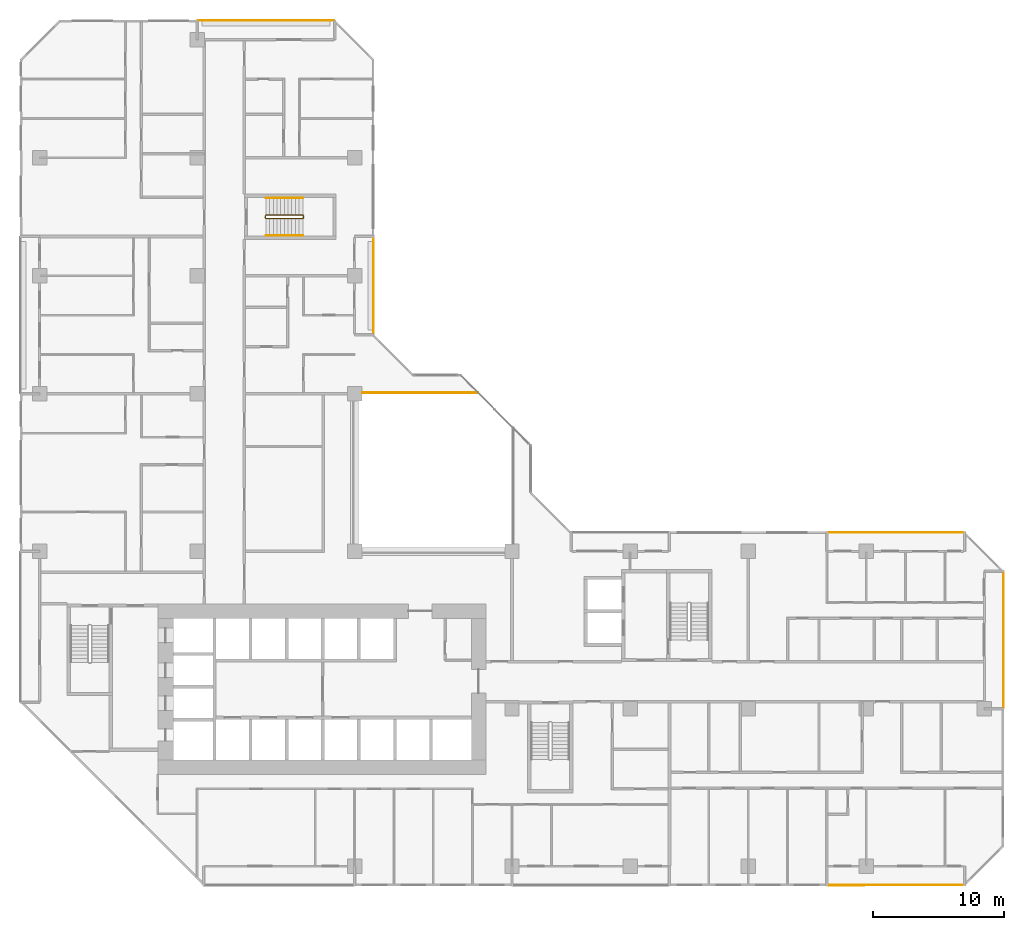
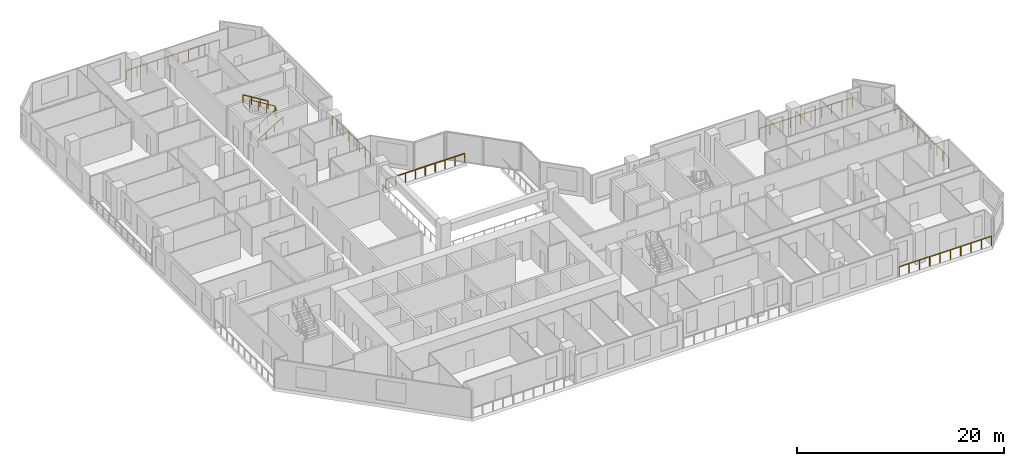
# One storey, part 16 of 16: 9 railings.
"""IFC4 building model written with IfcOpenShell, lengths in metres."""

import ifcopenshell
import ifcopenshell.guid

model = None  # the IFC model being written
_history = None  # IfcOwnerHistory: only IFC2X3 demands one
_inside = {}  # id of a spatial element -> (the spatial element, [elements in it])
_under = {}  # id of a project, library or spatial element -> (it, [spatial elements below it])
_declared = {}  # id of a project -> (the project, [libraries it declares])
_typed = {}  # id of a type object -> (the type object, [elements of that type])
_made_of = {}  # id of a material, layer set ... -> (it, [elements and type objects made of it])


def new_model(schema):
    """Start an empty IFC model of exactly this schema.

    Asked for "IFC4X3", IfcOpenShell would pick the latest addendum, in which some entities
    have other attributes; the version numbers below select the first issue.
    IFC2X3 requires an IfcOwnerHistory on every rooted entity: one is made here for all.
    """
    global model, _history
    if schema == "IFC4X3":
        model = ifcopenshell.file(schema_version=(4, 3, 0, 0))
    else:
        model = ifcopenshell.file(schema=schema)
    _inside.clear()
    _under.clear()
    _declared.clear()
    _typed.clear()
    _made_of.clear()
    _history = None
    if model.schema == "IFC2X3":
        org = make("IfcOrganization", Name="unknown")
        user = make(
            "IfcPersonAndOrganization",
            ThePerson=make("IfcPerson", FamilyName="unknown"),
            TheOrganization=org,
        )
        app = make(
            "IfcApplication",
            ApplicationDeveloper=org,
            Version="unknown",
            ApplicationFullName="unknown",
            ApplicationIdentifier="unknown",
        )
        _history = make(
            "IfcOwnerHistory",
            OwningUser=user,
            OwningApplication=app,
            ChangeAction="ADDED",
            CreationDate=0,
        )
    return model


def make(cls, **values):
    """One entity of the class cls with the attributes given. An attribute that is None is left unset."""
    return model.create_entity(
        cls, **{name: value for name, value in values.items() if value is not None}
    )


def rooted(cls, **values):
    """An entity with a GlobalId (a new one), such as an element, a storey or a relation."""
    return make(cls, GlobalId=ifcopenshell.guid.new(), OwnerHistory=_history, **values)


def si_unit(unit_type, name, prefix=None):
    """IfcSIUnit, for example si_unit("LENGTHUNIT", "METRE", prefix="MILLI")."""
    return make("IfcSIUnit", UnitType=unit_type, Prefix=prefix, Name=name)


def assignment(units):
    """IfcUnitAssignment: the units of a project."""
    return None if units is None else make("IfcUnitAssignment", Units=units)


def point(xyz):
    """IfcCartesianPoint."""
    return None if xyz is None else make("IfcCartesianPoint", Coordinates=xyz)


def direction(xyz):
    """IfcDirection."""
    return None if xyz is None else make("IfcDirection", DirectionRatios=xyz)


def frame(location, z_axis=None, x_axis=None):
    """IfcAxis2Placement3D, a coordinate frame: its origin and axes. An axis left out is left unset."""
    return make(
        "IfcAxis2Placement3D",
        Location=point(location),
        Axis=direction(z_axis),
        RefDirection=direction(x_axis),
    )


def frame_2d(location, x_axis=None):
    """IfcAxis2Placement2D, a coordinate frame in the plane: its origin and x axis."""
    return make(
        "IfcAxis2Placement2D", Location=point(location), RefDirection=direction(x_axis)
    )


def origin():
    """The frame at (0, 0, 0) with its axes left unset."""
    return frame((0.0, 0.0, 0.0))


def origin_2d():
    """The frame at (0, 0) in the plane with its x axis left unset."""
    return frame_2d((0.0, 0.0))


def place(relative_to, where):
    """IfcLocalPlacement: puts the frame where relative to a parent placement (None: the world)."""
    return make(
        "IfcLocalPlacement", PlacementRelTo=relative_to, RelativePlacement=where
    )


def context(
    kind, dimensions, precision=None, world=None, true_north=None, identifier=None
):
    """IfcGeometricRepresentationContext, for example the 3D "Model" context."""
    return make(
        "IfcGeometricRepresentationContext",
        ContextIdentifier=identifier,
        ContextType=kind,
        CoordinateSpaceDimension=dimensions,
        Precision=precision,
        WorldCoordinateSystem=world,
        TrueNorth=true_north,
    )


def subcontext(parent, identifier, kind, view, scale=None):
    """IfcGeometricRepresentationSubContext, for example "Body" below "Model"."""
    return make(
        "IfcGeometricRepresentationSubContext",
        ContextIdentifier=identifier,
        ContextType=kind,
        ParentContext=parent,
        TargetScale=scale,
        TargetView=view,
    )


def project(units=None, contexts=None):
    """IfcProject with its units and contexts."""
    return rooted(
        "IfcProject",
        Name="project",
        RepresentationContexts=contexts,
        UnitsInContext=assignment(units),
    )


def spatial(cls, under=None, at=None, **own):
    """A site, building, storey or space (cls), placed at a placement, below another one or the project."""
    s = rooted(cls, ObjectPlacement=at, **own)
    if under is not None:
        _under.setdefault(under.id(), (under, []))[1].append(s)
    return s


def profile(cls, at=None, kind="AREA", **sizes):
    """A parametric profile (cls). Its sizes go by their IFC names, for example OverallWidth=200.0."""
    return make(cls, ProfileType=kind, Position=at, **sizes)


def rectangle(**sizes):
    """IfcRectangleProfileDef."""
    return profile("IfcRectangleProfileDef", **sizes)


def extrude(swept, where, along, depth):
    """IfcExtrudedAreaSolid: the profile swept, set in the frame where, extruded along a direction by depth."""
    return make(
        "IfcExtrudedAreaSolid",
        SweptArea=swept,
        Position=where,
        ExtrudedDirection=direction(along),
        Depth=depth,
    )


def shape(context_of_items, identifier, shape_type, items):
    """IfcShapeRepresentation: the items that make up one representation, for example the "Body"."""
    return make(
        "IfcShapeRepresentation",
        ContextOfItems=context_of_items,
        RepresentationIdentifier=identifier,
        RepresentationType=shape_type,
        Items=items,
    )


def material(Name=None, Category=None):
    """IfcMaterial."""
    return make("IfcMaterial", Name=Name, Category=Category)


def made_of(thing, what):
    """Note that an element or type object is made of a material, layer set ...; save() writes the relation."""
    if what is not None:
        _made_of.setdefault(what.id(), (what, []))[1].append(thing)
    return thing


def type_object(cls, material=None, **own):
    """A type object (cls), such as IfcWallType, which elements share."""
    return made_of(rooted(cls, **own), material)


def element(
    cls,
    number,
    at=None,
    inside=None,
    cuts=None,
    type_object=None,
    material=None,
    context=None,
    identifier="Body",
    shape_type=None,
    held_by="IfcProductDefinitionShape",
    body=None,
    shapes=None,
    **own,
):
    """One element of the class cls, such as IfcWall. Its Tag is "e" and its number.

    at: its placement. inside: the storey or other place that contains it. cuts: it is an
    opening in that element (IfcRelVoidsElement). A single representation is given by context,
    identifier, shape_type and body (its items); several are given by shapes. held_by: the class
    of the entity that holds the representations. save() writes the other relations.
    """
    e = rooted(cls, Tag="e%d" % number, ObjectPlacement=at, **own)
    if body is not None:
        shapes = [shape(context, identifier, shape_type, body)]
    if shapes is not None:
        e.Representation = make(held_by, Representations=shapes)
    if inside is not None:
        _inside.setdefault(inside.id(), (inside, []))[1].append(e)
    if cuts is not None:
        rooted(
            "IfcRelVoidsElement", RelatingBuildingElement=cuts, RelatedOpeningElement=e
        )
    if type_object is not None:
        _typed.setdefault(type_object.id(), (type_object, []))[1].append(e)
    return made_of(e, material)


def aggregate(whole, parts):
    """IfcRelAggregates: a whole, such as a stair, and the parts it consists of."""
    return rooted("IfcRelAggregates", RelatingObject=whole, RelatedObjects=parts)


def save(model, path):
    """Write the relations noted so far, then the file.

    IfcRelAggregates (storeys below a building ...), IfcRelContainedInSpatialStructure (elements
    in a storey), IfcRelDefinesByType, IfcRelAssociatesMaterial and IfcRelDeclares: one each for
    every whole, place, type object, material and project.
    """
    for whole, parts in _under.values():
        aggregate(whole, parts)
    for where, things in _inside.values():
        rooted(
            "IfcRelContainedInSpatialStructure",
            RelatedElements=things,
            RelatingStructure=where,
        )
    for kind, things in _typed.values():
        rooted("IfcRelDefinesByType", RelatedObjects=things, RelatingType=kind)
    for what, things in _made_of.values():
        rooted("IfcRelAssociatesMaterial", RelatedObjects=things, RelatingMaterial=what)
    for by, libraries in _declared.values():
        rooted("IfcRelDeclares", RelatingContext=by, RelatedDefinitions=libraries)
    model.write(path)


model = new_model("IFC4")

# Units and contexts
model_context = context("Model", 3, precision=1e-05, world=origin(), true_north=direction((0.0, 1.0)))
body_context = subcontext(model_context, "Body", "Model", "MODEL_VIEW")
ifc_project = project(units=[si_unit("LENGTHUNIT", "METRE"), si_unit("AREAUNIT", "SQUARE_METRE"), si_unit("VOLUMEUNIT", "CUBIC_METRE"), si_unit("PLANEANGLEUNIT", "RADIAN"), si_unit("MASSUNIT", "GRAM", prefix="KILO")], contexts=[model_context])

# Site, building, storey
site_placement = place(None, origin())
site = spatial("IfcSite", under=ifc_project, at=site_placement, CompositionType="ELEMENT")
building_placement = place(site_placement, origin())
building = spatial("IfcBuilding", under=site, at=building_placement, Name="Chenar Terraces", CompositionType="ELEMENT")
storey_placement = place(building_placement, frame((0.0, 0.0, 75.14990234375)))
storey = spatial("IfcBuildingStorey", under=building, at=storey_placement, Name="L16", CompositionType="ELEMENT", Elevation=75.14990234375)

# Railings
ifc_material_1 = material(Name="Powder-coated steel", Category="steel")
railing_type_1 = type_object("IfcRailingType", Name="Guard 1100 steel rail with glass infill", PredefinedType="GUARDRAIL", material=ifc_material_1)
railing_1_placement = place(storey_placement, frame((24.60009765625, 36.10009765625, 0.0)))
element("IfcRailing", 1, at=railing_1_placement, inside=storey, type_object=railing_type_1, Name="Guard L16-2", PredefinedType="GUARDRAIL", context=body_context, shape_type="SweptSolid", body=[
    extrude(rectangle(XDim=0.06005859375, YDim=0.06005859375, at=origin_2d()), frame((0.0, 0.0, 1.070068359375), z_axis=(1.0, 0.0, 0.0), x_axis=(0.0, 1.0, 0.0)), (0.0, 0.0, 1.0), 8.7998046875),
    extrude(rectangle(XDim=0.050048828125, YDim=0.050048828125, at=origin_2d()), origin(), (0.0, 0.0, 1.0), 1.0400390625),
    extrude(rectangle(XDim=0.050048828125, YDim=0.050048828125, at=origin_2d()), frame((1.10009765625, 0.0, 0.0)), (0.0, 0.0, 1.0), 1.0400390625),
    extrude(rectangle(XDim=0.050048828125, YDim=0.050048828125, at=origin_2d()), frame((2.199951171875, 0.0, 0.0)), (0.0, 0.0, 1.0), 1.0400390625),
    extrude(rectangle(XDim=0.050048828125, YDim=0.050048828125, at=origin_2d()), frame((3.2998046875, 0.0, 0.0)), (0.0, 0.0, 1.0), 1.0400390625),
    extrude(rectangle(XDim=0.050048828125, YDim=0.050048828125, at=origin_2d()), frame((4.39990234375, 0.0, 0.0)), (0.0, 0.0, 1.0), 1.0400390625),
    extrude(rectangle(XDim=0.050048828125, YDim=0.050048828125, at=origin_2d()), frame((5.5, 0.0, 0.0)), (0.0, 0.0, 1.0), 1.0400390625),
    extrude(rectangle(XDim=0.050048828125, YDim=0.050048828125, at=origin_2d()), frame((6.599853515625, 0.0, 0.0)), (0.0, 0.0, 1.0), 1.0400390625),
    extrude(rectangle(XDim=0.050048828125, YDim=0.050048828125, at=origin_2d()), frame((7.69970703125, 0.0, 0.0)), (0.0, 0.0, 1.0), 1.0400390625),
    extrude(rectangle(XDim=0.050048828125, YDim=0.050048828125, at=origin_2d()), frame((8.7998046875, 0.0, 0.0)), (0.0, 0.0, 1.0), 1.0400390625),
])
ifc_material_2 = material(Name="Stainless steel and glass", Category="steel")
railing_type_2 = type_object("IfcRailingType", Name="Loggia guard 1150", PredefinedType="GUARDRAIL", material=ifc_material_2)
railing_2_placement = place(storey_placement, frame((25.449951171875, 40.574951171875, 0.0)))
element("IfcRailing", 2, at=railing_2_placement, inside=storey, type_object=railing_type_2, Name="Loggia guard", PredefinedType="GUARDRAIL", context=body_context, shape_type="SweptSolid", body=[
    extrude(rectangle(XDim=0.048095703125, YDim=0.048095703125, at=origin_2d()), frame((0.0, 0.0, 1.1259765625), z_axis=(0.0, 1.0, 0.0), x_axis=(-1.0, 0.0, 0.0)), (0.0, 0.0, 1.0), 7.35009765625),
    extrude(rectangle(XDim=0.0419921875, YDim=0.0419921875, at=origin_2d()), origin(), (0.0, 0.0, 1.0), 1.101806640625),
    extrude(rectangle(XDim=0.0419921875, YDim=0.0419921875, at=origin_2d()), frame((0.0, 1.050048828125, 0.0)), (0.0, 0.0, 1.0), 1.101806640625),
    extrude(rectangle(XDim=0.0419921875, YDim=0.0419921875, at=origin_2d()), frame((0.0, 2.10009765625, 0.0)), (0.0, 0.0, 1.0), 1.101806640625),
    extrude(rectangle(XDim=0.0419921875, YDim=0.0419921875, at=origin_2d()), frame((0.0, 3.150146484375, 0.0)), (0.0, 0.0, 1.0), 1.101806640625),
    extrude(rectangle(XDim=0.0419921875, YDim=0.0419921875, at=origin_2d()), frame((0.0, 4.199951171875, 0.0)), (0.0, 0.0, 1.0), 1.101806640625),
    extrude(rectangle(XDim=0.0419921875, YDim=0.0419921875, at=origin_2d()), frame((0.0, 5.25, 0.0)), (0.0, 0.0, 1.0), 1.101806640625),
    extrude(rectangle(XDim=0.0419921875, YDim=0.0419921875, at=origin_2d()), frame((0.0, 6.300048828125, 0.0)), (0.0, 0.0, 1.0), 1.101806640625),
    extrude(rectangle(XDim=0.0419921875, YDim=0.0419921875, at=origin_2d()), frame((0.0, 7.35009765625, 0.0)), (0.0, 0.0, 1.0), 1.101806640625),
])
railing_3_placement = place(storey_placement, frame((73.449951171875, 12.074951171875, 0.0)))
element("IfcRailing", 3, at=railing_3_placement, inside=storey, type_object=railing_type_2, Name="Loggia guard", PredefinedType="GUARDRAIL", context=body_context, shape_type="SweptSolid", body=[
    extrude(rectangle(XDim=0.048095703125, YDim=0.048095703125, at=origin_2d()), frame((0.0, 0.0, 1.1259765625), z_axis=(0.0, 1.0, 0.0), x_axis=(-1.0, 0.0, 0.0)), (0.0, 0.0, 1.0), 10.35009765625),
    extrude(rectangle(XDim=0.0419921875, YDim=0.0419921875, at=origin_2d()), origin(), (0.0, 0.0, 1.0), 1.101806640625),
    extrude(rectangle(XDim=0.0419921875, YDim=0.0419921875, at=origin_2d()), frame((0.0, 1.14990234375, 0.0)), (0.0, 0.0, 1.0), 1.101806640625),
    extrude(rectangle(XDim=0.0419921875, YDim=0.0419921875, at=origin_2d()), frame((0.0, 2.300048828125, 0.0)), (0.0, 0.0, 1.0), 1.101806640625),
    extrude(rectangle(XDim=0.0419921875, YDim=0.0419921875, at=origin_2d()), frame((0.0, 3.449951171875, 0.0)), (0.0, 0.0, 1.0), 1.101806640625),
    extrude(rectangle(XDim=0.0419921875, YDim=0.0419921875, at=origin_2d()), frame((0.0, 4.60009765625, 0.0)), (0.0, 0.0, 1.0), 1.101806640625),
    extrude(rectangle(XDim=0.0419921875, YDim=0.0419921875, at=origin_2d()), frame((0.0, 5.75, 0.0)), (0.0, 0.0, 1.0), 1.101806640625),
    extrude(rectangle(XDim=0.0419921875, YDim=0.0419921875, at=origin_2d()), frame((0.0, 6.900146484375, 0.0)), (0.0, 0.0, 1.0), 1.101806640625),
    extrude(rectangle(XDim=0.0419921875, YDim=0.0419921875, at=origin_2d()), frame((0.0, 8.050048828125, 0.0)), (0.0, 0.0, 1.0), 1.101806640625),
    extrude(rectangle(XDim=0.0419921875, YDim=0.0419921875, at=origin_2d()), frame((0.0, 9.2001953125, 0.0)), (0.0, 0.0, 1.0), 1.101806640625),
    extrude(rectangle(XDim=0.0419921875, YDim=0.0419921875, at=origin_2d()), frame((0.0, 10.35009765625, 0.0)), (0.0, 0.0, 1.0), 1.101806640625),
])
for number, where, name in (
    (4, (70.425048828125, 25.449951171875, 0.0), "Loggia guard"),
    (5, (22.425048828125, 64.449951171875, 0.0), "Loggia guard"),
):
    element("IfcRailing", number, at=place(storey_placement, frame(where)), inside=storey, type_object=railing_type_2, Name=name, PredefinedType="GUARDRAIL", context=body_context, shape_type="SweptSolid", body=[
        extrude(rectangle(XDim=0.048095703125, YDim=0.048095703125, at=origin_2d()), frame((0.0, 0.0, 1.1259765625), z_axis=(-1.0, 0.0, 0.0), x_axis=(0.0, -1.0, 0.0)), (0.0, 0.0, 1.0), 10.35009765625),
        extrude(rectangle(XDim=0.0419921875, YDim=0.0419921875, at=origin_2d()), origin(), (0.0, 0.0, 1.0), 1.101806640625),
        extrude(rectangle(XDim=0.0419921875, YDim=0.0419921875, at=origin_2d()), frame((-1.14990234375, 0.0, 0.0)), (0.0, 0.0, 1.0), 1.101806640625),
        extrude(rectangle(XDim=0.0419921875, YDim=0.0419921875, at=origin_2d()), frame((-2.300048828125, 0.0, 0.0)), (0.0, 0.0, 1.0), 1.101806640625),
        extrude(rectangle(XDim=0.0419921875, YDim=0.0419921875, at=origin_2d()), frame((-3.449951171875, 0.0, 0.0)), (0.0, 0.0, 1.0), 1.101806640625),
        extrude(rectangle(XDim=0.0419921875, YDim=0.0419921875, at=origin_2d()), frame((-4.60009765625, 0.0, 0.0)), (0.0, 0.0, 1.0), 1.101806640625),
        extrude(rectangle(XDim=0.0419921875, YDim=0.0419921875, at=origin_2d()), frame((-5.75, 0.0, 0.0)), (0.0, 0.0, 1.0), 1.101806640625),
        extrude(rectangle(XDim=0.0419921875, YDim=0.0419921875, at=origin_2d()), frame((-6.900146484375, 0.0, 0.0)), (0.0, 0.0, 1.0), 1.101806640625),
        extrude(rectangle(XDim=0.0419921875, YDim=0.0419921875, at=origin_2d()), frame((-8.050048828125, 0.0, 0.0)), (0.0, 0.0, 1.0), 1.101806640625),
        extrude(rectangle(XDim=0.0419921875, YDim=0.0419921875, at=origin_2d()), frame((-9.2001953125, 0.0, 0.0)), (0.0, 0.0, 1.0), 1.101806640625),
        extrude(rectangle(XDim=0.0419921875, YDim=0.0419921875, at=origin_2d()), frame((-10.35009765625, 0.0, 0.0)), (0.0, 0.0, 1.0), 1.101806640625),
    ])
railing_4_placement = place(storey_placement, frame((60.074951171875, -1.449951171875, 0.0)))
element("IfcRailing", 6, at=railing_4_placement, inside=storey, type_object=railing_type_2, Name="Loggia guard", PredefinedType="GUARDRAIL", context=body_context, shape_type="SweptSolid", body=[
    extrude(rectangle(XDim=0.048095703125, YDim=0.048095703125, at=origin_2d()), frame((0.0, 0.0, 1.1259765625), z_axis=(1.0, 0.0, 0.0), x_axis=(0.0, 1.0, 0.0)), (0.0, 0.0, 1.0), 10.35009765625),
    extrude(rectangle(XDim=0.0419921875, YDim=0.0419921875, at=origin_2d()), origin(), (0.0, 0.0, 1.0), 1.101806640625),
    extrude(rectangle(XDim=0.0419921875, YDim=0.0419921875, at=origin_2d()), frame((1.14990234375, 0.0, 0.0)), (0.0, 0.0, 1.0), 1.101806640625),
    extrude(rectangle(XDim=0.0419921875, YDim=0.0419921875, at=origin_2d()), frame((2.300048828125, 0.0, 0.0)), (0.0, 0.0, 1.0), 1.101806640625),
    extrude(rectangle(XDim=0.0419921875, YDim=0.0419921875, at=origin_2d()), frame((3.449951171875, 0.0, 0.0)), (0.0, 0.0, 1.0), 1.101806640625),
    extrude(rectangle(XDim=0.0419921875, YDim=0.0419921875, at=origin_2d()), frame((4.60009765625, 0.0, 0.0)), (0.0, 0.0, 1.0), 1.101806640625),
    extrude(rectangle(XDim=0.0419921875, YDim=0.0419921875, at=origin_2d()), frame((5.75, 0.0, 0.0)), (0.0, 0.0, 1.0), 1.101806640625),
    extrude(rectangle(XDim=0.0419921875, YDim=0.0419921875, at=origin_2d()), frame((6.900146484375, 0.0, 0.0)), (0.0, 0.0, 1.0), 1.101806640625),
    extrude(rectangle(XDim=0.0419921875, YDim=0.0419921875, at=origin_2d()), frame((8.050048828125, 0.0, 0.0)), (0.0, 0.0, 1.0), 1.101806640625),
    extrude(rectangle(XDim=0.0419921875, YDim=0.0419921875, at=origin_2d()), frame((9.2001953125, 0.0, 0.0)), (0.0, 0.0, 1.0), 1.101806640625),
    extrude(rectangle(XDim=0.0419921875, YDim=0.0419921875, at=origin_2d()), frame((10.35009765625, 0.0, 0.0)), (0.0, 0.0, 1.0), 1.101806640625),
])
ifc_material_3 = material(Name="Powder-coated steel", Category="steel")
railing_type_3 = type_object("IfcRailingType", Name="Stair guard 1100", PredefinedType="GUARDRAIL", material=ifc_material_3)
railing_5_placement = place(storey_placement, frame((17.25, 49.625, 3.75)))
element("IfcRailing", 7, at=railing_5_placement, inside=storey, type_object=railing_type_3, Name="L16 ST4 stair guard 1", PredefinedType="GUARDRAIL", context=body_context, shape_type="SweptSolid", body=[
    extrude(rectangle(XDim=0.048095703125, YDim=0.048095703125, at=origin_2d()), frame((0.0, 0.0, 1.076171875), z_axis=(0.854202870247, 0.0, -0.519939858505), x_axis=(0.0, 1.0, 0.0)), (0.0, 0.0, 1.0), 3.278076171875),
    extrude(rectangle(XDim=0.048095703125, YDim=0.048095703125, at=origin_2d()), frame((2.800048828125, 0.0, -0.62841796875), z_axis=(0.270899902878, -0.270899902878, -0.923702595667), x_axis=(0.707106781187, 0.707106781187, 0.0)), (0.0, 0.0, 1.0), 0.184814453125),
    extrude(rectangle(XDim=0.048095703125, YDim=0.048095703125, at=origin_2d()), frame((2.85009765625, -0.050048828125, -0.798828125), z_axis=(0.0, -1.0, 0.0), x_axis=(1.0, 0.0, 0.0)), (0.0, 0.0, 1.0), 0.14990234375),
    extrude(rectangle(XDim=0.048095703125, YDim=0.048095703125, at=origin_2d()), frame((2.85009765625, -0.199951171875, -0.798828125), z_axis=(-0.707106781187, -0.707106781187, 0.0), x_axis=(0.707106781187, -0.707106781187, 0.0)), (0.0, 0.0, 1.0), 0.07080078125),
    extrude(rectangle(XDim=0.048095703125, YDim=0.048095703125, at=origin_2d()), frame((2.800048828125, -0.25, -0.798828125), z_axis=(-0.854202870247, 0.0, -0.519939858505), x_axis=(0.0, -1.0, 0.0)), (0.0, 0.0, 1.0), 3.278076171875),
    extrude(rectangle(XDim=0.048095703125, YDim=0.048095703125, at=origin_2d()), frame((0.0, -0.25, -2.50341796875), z_axis=(-0.270899902878, 0.270899902878, -0.923702595667), x_axis=(-0.707106781187, -0.707106781187, 0.0)), (0.0, 0.0, 1.0), 0.184814453125),
    extrude(rectangle(XDim=0.048095703125, YDim=0.048095703125, at=origin_2d()), frame((-0.050048828125, -0.199951171875, -2.673828125), z_axis=(0.0, 1.0, 0.0), x_axis=(-1.0, 0.0, 0.0)), (0.0, 0.0, 1.0), 0.14990234375),
    extrude(rectangle(XDim=0.0419921875, YDim=0.0419921875, at=origin_2d()), origin(), (0.0, 0.0, 1.0), 1.052001953125),
    extrude(rectangle(XDim=0.0419921875, YDim=0.0419921875, at=origin_2d()), frame((0.933349609375, 0.0, -0.568115234375)), (0.0, 0.0, 1.0), 1.052001953125),
    extrude(rectangle(XDim=0.0419921875, YDim=0.0419921875, at=origin_2d()), frame((1.86669921875, 0.0, -1.13623046875)), (0.0, 0.0, 1.0), 1.052001953125),
    extrude(rectangle(XDim=0.0419921875, YDim=0.0419921875, at=origin_2d()), frame((2.800048828125, 0.0, -1.704345703125)), (0.0, 0.0, 1.0), 1.052001953125),
    extrude(rectangle(XDim=0.0419921875, YDim=0.0419921875, at=origin_2d()), frame((2.85009765625, -0.050048828125, -1.875)), (0.0, 0.0, 1.0), 1.052001953125),
    extrude(rectangle(XDim=0.0419921875, YDim=0.0419921875, at=origin_2d()), frame((2.85009765625, -0.199951171875, -1.875)), (0.0, 0.0, 1.0), 1.052001953125),
    extrude(rectangle(XDim=0.0419921875, YDim=0.0419921875, at=origin_2d()), frame((2.800048828125, -0.25, -1.875)), (0.0, 0.0, 1.0), 1.052001953125),
    extrude(rectangle(XDim=0.0419921875, YDim=0.0419921875, at=origin_2d()), frame((1.86669921875, -0.25, -2.443115234375)), (0.0, 0.0, 1.0), 1.052001953125),
    extrude(rectangle(XDim=0.0419921875, YDim=0.0419921875, at=origin_2d()), frame((0.933349609375, -0.25, -3.01123046875)), (0.0, 0.0, 1.0), 1.052001953125),
    extrude(rectangle(XDim=0.0419921875, YDim=0.0419921875, at=origin_2d()), frame((0.0, -0.25, -3.579345703125)), (0.0, 0.0, 1.0), 1.052001953125),
    extrude(rectangle(XDim=0.0419921875, YDim=0.0419921875, at=origin_2d()), frame((-0.050048828125, -0.199951171875, -3.75)), (0.0, 0.0, 1.0), 1.052001953125),
    extrude(rectangle(XDim=0.0419921875, YDim=0.0419921875, at=origin_2d()), frame((-0.050048828125, -0.050048828125, -3.75)), (0.0, 0.0, 1.0), 1.052001953125),
])
ifc_material_4 = material(Name="Powder-coated steel", Category="steel")
railing_type_4 = type_object("IfcRailingType", Name="Stair handrail 900", PredefinedType="HANDRAIL", material=ifc_material_4)
railing_6_placement = place(storey_placement, frame((17.25, 48.074951171875, 0.170654296875)))
element("IfcRailing", 8, at=railing_6_placement, inside=storey, type_object=railing_type_4, Name="L16 ST4 stair handrail 1", PredefinedType="HANDRAIL", context=body_context, shape_type="SweptSolid", body=[
    extrude(rectangle(XDim=0.048095703125, YDim=0.048095703125, at=origin_2d()), frame((0.0, 0.0, 0.8759765625), z_axis=(0.854202870247, 0.0, 0.519939858505), x_axis=(0.0, 1.0, 0.0)), (0.0, 0.0, 1.0), 3.278076171875),
    extrude(rectangle(XDim=0.0419921875, YDim=0.0419921875, at=origin_2d()), origin(), (0.0, 0.0, 1.0), 0.851806640625),
    extrude(rectangle(XDim=0.0419921875, YDim=0.0419921875, at=origin_2d()), frame((0.933349609375, 0.0, 0.568115234375)), (0.0, 0.0, 1.0), 0.851806640625),
    extrude(rectangle(XDim=0.0419921875, YDim=0.0419921875, at=origin_2d()), frame((1.86669921875, 0.0, 1.13623046875)), (0.0, 0.0, 1.0), 0.851806640625),
    extrude(rectangle(XDim=0.0419921875, YDim=0.0419921875, at=origin_2d()), frame((2.800048828125, 0.0, 1.704345703125)), (0.0, 0.0, 1.0), 0.851806640625),
])
railing_7_placement = place(storey_placement, frame((20.050048828125, 50.925048828125, 2.045654296875)))
element("IfcRailing", 9, at=railing_7_placement, inside=storey, type_object=railing_type_4, Name="L16 ST4 stair handrail 2", PredefinedType="HANDRAIL", context=body_context, shape_type="SweptSolid", body=[
    extrude(rectangle(XDim=0.048095703125, YDim=0.048095703125, at=origin_2d()), frame((0.0, 0.0, 0.8759765625), z_axis=(-0.854202870247, 0.0, 0.519939858505), x_axis=(0.0, -1.0, 0.0)), (0.0, 0.0, 1.0), 3.278076171875),
    extrude(rectangle(XDim=0.0419921875, YDim=0.0419921875, at=origin_2d()), origin(), (0.0, 0.0, 1.0), 0.851806640625),
    extrude(rectangle(XDim=0.0419921875, YDim=0.0419921875, at=origin_2d()), frame((-0.933349609375, 0.0, 0.568115234375)), (0.0, 0.0, 1.0), 0.851806640625),
    extrude(rectangle(XDim=0.0419921875, YDim=0.0419921875, at=origin_2d()), frame((-1.86669921875, 0.0, 1.13623046875)), (0.0, 0.0, 1.0), 0.851806640625),
    extrude(rectangle(XDim=0.0419921875, YDim=0.0419921875, at=origin_2d()), frame((-2.800048828125, 0.0, 1.704345703125)), (0.0, 0.0, 1.0), 0.851806640625),
])

save(model, "model.ifc")
